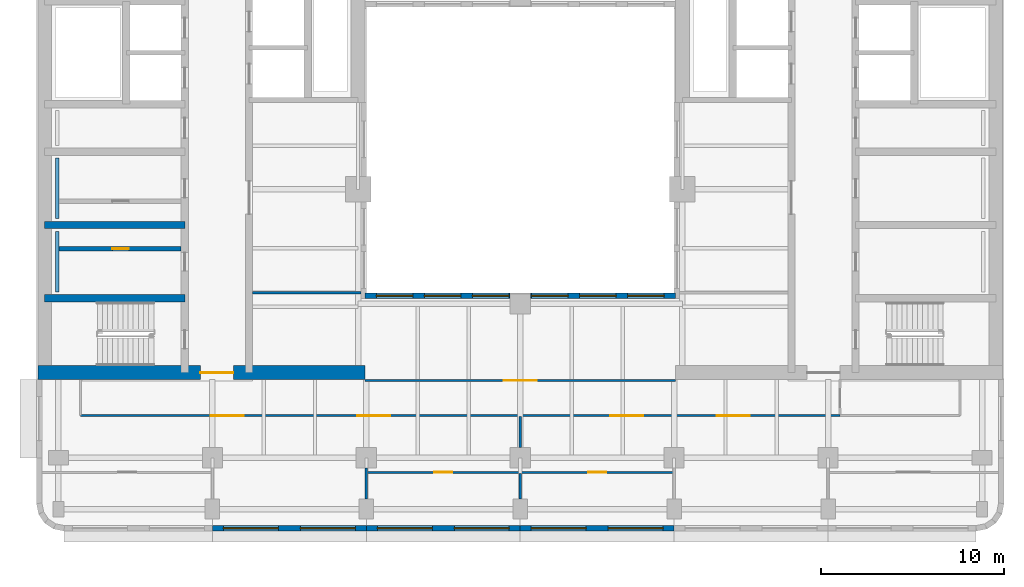
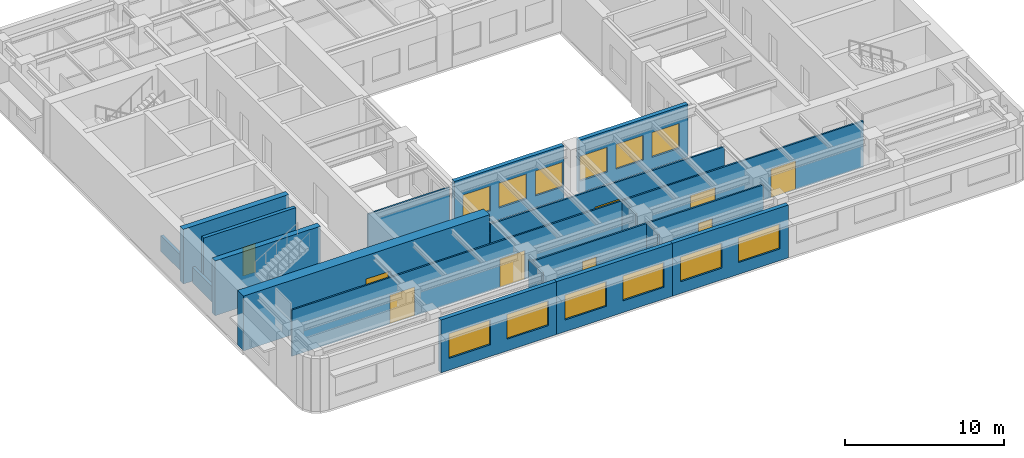
# One storey, part 3 of 11: 18 walls, 12 windows, 9 doors, 21 openings.
"""IFC4 building model written with IfcOpenShell, lengths in metres."""

from ifc_helpers import new_model, si_unit, direction, frame, frame_2d, origin, place, context, subcontext, project, spatial, rectangle, extrude, material, layer, layer_set, type_object, element, fill, save


model = new_model("IFC4")

# Units and contexts
model_context = context("Model", 3, precision=1e-05, world=origin(), true_north=direction((0.0, 1.0)))
body_context = subcontext(model_context, "Body", "Model", "MODEL_VIEW")
ifc_project = project(units=[si_unit("LENGTHUNIT", "METRE"), si_unit("AREAUNIT", "SQUARE_METRE"), si_unit("VOLUMEUNIT", "CUBIC_METRE"), si_unit("PLANEANGLEUNIT", "RADIAN"), si_unit("MASSUNIT", "GRAM", prefix="KILO")], contexts=[model_context])

# Site, building, storey
site_placement = place(None, origin())
site = spatial("IfcSite", under=ifc_project, at=site_placement, CompositionType="ELEMENT")
building_placement = place(site_placement, origin())
building = spatial("IfcBuilding", under=site, at=building_placement, Name="Claustro Exchange Tower", CompositionType="ELEMENT")
storey_placement = place(building_placement, frame((0.0, 0.0, 190.199951171875)))
storey = spatial("IfcBuildingStorey", under=building, at=storey_placement, Name="L43", CompositionType="ELEMENT", Elevation=190.199951171875)

# Wall
ifc_material_1 = material(Name="Laminated glass in aluminium frame", Category="aluminium")
ifc_layer_1 = layer(ifc_material_1, 0.1201171875)
ifc_layer_set_1 = layer_set([ifc_layer_1], Name="Laminated glass in aluminium frame")
wall_type_1 = type_object("IfcWallType", Name="P2 120 glazed partition", PredefinedType="PARTITIONING", material=ifc_layer_set_1)
wall_1_placement = place(storey_placement, frame((10.597900390625, 17.39990234375, 0.0), z_axis=(0.0, 0.0, 1.0), x_axis=(1.0, 0.0, 0.0)))
element("IfcWall", 1, at=wall_1_placement, inside=storey, type_object=wall_type_1, Name="Partition P2 L43", PredefinedType="PARTITIONING", context=body_context, shape_type="SweptSolid", body=[
    extrude(rectangle(XDim=5.904052734375, YDim=0.1201171875, at=frame_2d((2.9521484375, 0.0))), origin(), (0.0, 0.0, 1.0), 3.550048828125),
])

# Wall, openings, doors
wall_2_placement = place(storey_placement, frame((16.800048828125, 7.60009765625, 0.0), z_axis=(0.0, 0.0, 1.0), x_axis=(1.0, 0.0, 0.0)))
wall_2 = element("IfcWall", 2, at=wall_2_placement, inside=storey, type_object=wall_type_1, Name="Partition P2 L43", PredefinedType="PARTITIONING", context=body_context, shape_type="SweptSolid", body=[
    extrude(rectangle(XDim=16.800048828125, YDim=0.1201171875, at=frame_2d((8.39990234375, 0.0))), origin(), (0.0, 0.0, 1.0), 3.68994140625),
])
opening_1_placement = place(wall_2_placement, frame((3.699951171875, 0.0, 0.0)))
opening_1 = element("IfcOpeningElement", 3, at=opening_1_placement, cuts=wall_2, Name="Opening D7", PredefinedType="OPENING", context=body_context, shape_type="SweptSolid", body=[
    extrude(rectangle(XDim=1.0, YDim=2.39990234375, at=frame_2d((0.5, 1.199951171875))), frame((0.0, 0.070068359375, 0.0), z_axis=(0.0, -1.0, 0.0), x_axis=(1.0, 0.0, 0.0)), (0.0, 0.0, 1.0), 0.14013671875),
])
opening_2_placement = place(wall_2_placement, frame((12.10009765625, 0.0, 0.0)))
opening_2 = element("IfcOpeningElement", 4, at=opening_2_placement, cuts=wall_2, Name="Opening D7", PredefinedType="OPENING", context=body_context, shape_type="SweptSolid", body=[
    extrude(rectangle(XDim=1.0, YDim=2.39990234375, at=frame_2d((0.5, 1.199951171875))), frame((0.0, 0.070068359375, 0.0), z_axis=(0.0, -1.0, 0.0), x_axis=(1.0, 0.0, 0.0)), (0.0, 0.0, 1.0), 0.14013671875),
])
ifc_material_2 = material(Name="Glass door in aluminium frame", Category="aluminium")
door_type_1 = type_object("IfcDoorType", Name="D7 1000 x 2400 glazed door", OperationType="SINGLE_SWING_LEFT", PredefinedType="DOOR", material=ifc_material_2)
door_1_placement = place(opening_1_placement, frame((1.0, 0.0, 0.0), z_axis=(0.0, 0.0, 1.0), x_axis=(-1.0, 0.0, 0.0)))
door_1 = element("IfcDoor", 5, at=door_1_placement, inside=storey, type_object=door_type_1, Name="Door D7 L43", OperationType="SINGLE_SWING_LEFT", OverallHeight=2.39990234375, OverallWidth=1.0, PredefinedType="DOOR", context=body_context, shape_type="SweptSolid", body=[
    extrude(rectangle(XDim=1.0, YDim=2.39990234375, at=frame_2d((0.5, 1.199951171875))), frame((0.0, 0.02490234375, 0.0), z_axis=(0.0, -1.0, 0.0), x_axis=(1.0, 0.0, 0.0)), (0.0, 0.0, 1.0), 0.050048828125),
])
fill(opening_1, door_1)
door_2_placement = place(opening_2_placement, frame((1.0, 0.0, 0.0), z_axis=(0.0, 0.0, 1.0), x_axis=(-1.0, 0.0, 0.0)))
door_2 = element("IfcDoor", 6, at=door_2_placement, inside=storey, type_object=door_type_1, Name="Door D7 L43", OperationType="SINGLE_SWING_RIGHT", OverallHeight=2.39990234375, OverallWidth=1.0, PredefinedType="DOOR", context=body_context, shape_type="SweptSolid", body=[
    extrude(rectangle(XDim=1.0, YDim=2.39990234375, at=frame_2d((0.5, 1.199951171875))), frame((0.0, 0.02490234375, 0.0), z_axis=(0.0, -1.0, 0.0), x_axis=(1.0, 0.0, 0.0)), (0.0, 0.0, 1.0), 0.050048828125),
])
fill(opening_2, door_2)

# Walls
wall_3_placement = place(storey_placement, frame((16.800048828125, 6.14892578125, 0.0), z_axis=(0.0, 0.0, 1.0), x_axis=(0.0, 1.0, 0.0)))
element("IfcWall", 7, at=wall_3_placement, inside=storey, type_object=wall_type_1, Name="Partition P2 L43", PredefinedType="PARTITIONING", context=body_context, shape_type="SweptSolid", body=[
    extrude(rectangle(XDim=1.703125, YDim=0.1201171875, at=frame_2d((0.8515625, 0.0))), origin(), (0.0, 0.0, 1.0), 3.68994140625),
])
wall_4_placement = place(storey_placement, frame((25.199951171875, 6.14892578125, 0.0), z_axis=(0.0, 0.0, 1.0), x_axis=(0.0, 1.0, 0.0)))
element("IfcWall", 8, at=wall_4_placement, inside=storey, type_object=wall_type_1, Name="Partition P2 L43", PredefinedType="PARTITIONING", context=body_context, shape_type="SweptSolid", body=[
    extrude(rectangle(XDim=1.39306640625, YDim=0.1201171875, at=frame_2d((0.696533203125, 0.0))), origin(), (0.0, 0.0, 1.0), 3.68994140625),
])
wall_5_placement = place(storey_placement, frame((25.199951171875, 8.948974609375, 0.0), z_axis=(0.0, 0.0, 1.0), x_axis=(0.0, 1.0, 0.0)))
element("IfcWall", 9, at=wall_5_placement, inside=storey, type_object=wall_type_1, Name="Partition P2 L43", PredefinedType="PARTITIONING", context=body_context, shape_type="SweptSolid", body=[
    extrude(rectangle(XDim=1.693115234375, YDim=0.1201171875, at=frame_2d((0.8466796875, 0.0))), origin(), (0.0, 0.0, 1.0), 3.550048828125),
])

# Wall, openings, doors
wall_6_placement = place(storey_placement, frame((1.199951171875, 10.699951171875, 0.0), z_axis=(0.0, 0.0, 1.0), x_axis=(1.0, 0.0, 0.0)))
wall_6 = element("IfcWall", 10, at=wall_6_placement, inside=storey, type_object=wall_type_1, Name="Partition P2 L43", PredefinedType="PARTITIONING", context=body_context, shape_type="SweptSolid", body=[
    extrude(rectangle(XDim=41.4521484375, YDim=0.1201171875, at=frame_2d((20.72607421875, 0.0))), origin(), (0.0, 0.0, 1.0), 3.550048828125),
])
opening_3_placement = place(wall_6_placement, frame((7.10009765625, 0.0, 0.0)))
opening_3 = element("IfcOpeningElement", 11, at=opening_3_placement, cuts=wall_6, Name="Opening D2", PredefinedType="OPENING", context=body_context, shape_type="SweptSolid", body=[
    extrude(rectangle(XDim=1.800048828125, YDim=2.199951171875, at=frame_2d((0.89990234375, 1.10009765625))), frame((0.0, 0.070068359375, 0.0), z_axis=(0.0, -1.0, 0.0), x_axis=(1.0, 0.0, 0.0)), (0.0, 0.0, 1.0), 0.14013671875),
])
opening_4_placement = place(wall_6_placement, frame((15.10009765625, 0.0, 0.0)))
opening_4 = element("IfcOpeningElement", 12, at=opening_4_placement, cuts=wall_6, Name="Opening D2", PredefinedType="OPENING", context=body_context, shape_type="SweptSolid", body=[
    extrude(rectangle(XDim=1.800048828125, YDim=2.199951171875, at=frame_2d((0.89990234375, 1.10009765625))), frame((0.0, 0.070068359375, 0.0), z_axis=(0.0, -1.0, 0.0), x_axis=(1.0, 0.0, 0.0)), (0.0, 0.0, 1.0), 0.14013671875),
])
opening_5_placement = place(wall_6_placement, frame((28.916748046875, 0.0, 0.0)))
opening_5 = element("IfcOpeningElement", 13, at=opening_5_placement, cuts=wall_6, Name="Opening D2", PredefinedType="OPENING", context=body_context, shape_type="SweptSolid", body=[
    extrude(rectangle(XDim=1.800048828125, YDim=2.199951171875, at=frame_2d((0.89990234375, 1.10009765625))), frame((0.0, 0.070068359375, 0.0), z_axis=(0.0, -1.0, 0.0), x_axis=(1.0, 0.0, 0.0)), (0.0, 0.0, 1.0), 0.14013671875),
])
opening_6_placement = place(wall_6_placement, frame((34.7333984375, 0.0, 0.0)))
opening_6 = element("IfcOpeningElement", 14, at=opening_6_placement, cuts=wall_6, Name="Opening D2", PredefinedType="OPENING", context=body_context, shape_type="SweptSolid", body=[
    extrude(rectangle(XDim=1.800048828125, YDim=2.199951171875, at=frame_2d((0.89990234375, 1.10009765625))), frame((0.0, 0.070068359375, 0.0), z_axis=(0.0, -1.0, 0.0), x_axis=(1.0, 0.0, 0.0)), (0.0, 0.0, 1.0), 0.14013671875),
])
ifc_material_3 = material(Name="Timber door, oak veneer", Category="wood")
door_type_2 = type_object("IfcDoorType", Name="D2 1800 x 2200 double door", OperationType="DOUBLE_DOOR_SINGLE_SWING", PredefinedType="DOOR", material=ifc_material_3)
door_3_placement = place(opening_3_placement, frame((1.800048828125, 0.0, 0.0), z_axis=(0.0, 0.0, 1.0), x_axis=(-1.0, 0.0, 0.0)))
door_3 = element("IfcDoor", 15, at=door_3_placement, inside=storey, type_object=door_type_2, Name="Double door D2 L43", OperationType="DOUBLE_DOOR_SINGLE_SWING", OverallHeight=2.199951171875, OverallWidth=1.800048828125, PredefinedType="DOOR", context=body_context, shape_type="SweptSolid", body=[
    extrude(rectangle(XDim=1.800048828125, YDim=2.199951171875, at=frame_2d((0.89990234375, 1.10009765625))), frame((0.0, 0.02490234375, 0.0), z_axis=(0.0, -1.0, 0.0), x_axis=(1.0, 0.0, 0.0)), (0.0, 0.0, 1.0), 0.050048828125),
])
fill(opening_3, door_3)
door_4_placement = place(opening_4_placement, frame((1.800048828125, 0.0, 0.0), z_axis=(0.0, 0.0, 1.0), x_axis=(-1.0, 0.0, 0.0)))
door_4 = element("IfcDoor", 16, at=door_4_placement, inside=storey, type_object=door_type_2, Name="Double door D2 L43", OperationType="DOUBLE_DOOR_SINGLE_SWING", OverallHeight=2.199951171875, OverallWidth=1.800048828125, PredefinedType="DOOR", context=body_context, shape_type="SweptSolid", body=[
    extrude(rectangle(XDim=1.800048828125, YDim=2.199951171875, at=frame_2d((0.89990234375, 1.10009765625))), frame((0.0, 0.02490234375, 0.0), z_axis=(0.0, -1.0, 0.0), x_axis=(1.0, 0.0, 0.0)), (0.0, 0.0, 1.0), 0.050048828125),
])
fill(opening_4, door_4)
door_5_placement = place(opening_5_placement, frame((1.800048828125, 0.0, 0.0), z_axis=(0.0, 0.0, 1.0), x_axis=(-1.0, 0.0, 0.0)))
door_5 = element("IfcDoor", 17, at=door_5_placement, inside=storey, type_object=door_type_2, Name="Double door D2 L43", OperationType="DOUBLE_DOOR_SINGLE_SWING", OverallHeight=2.199951171875, OverallWidth=1.800048828125, PredefinedType="DOOR", context=body_context, shape_type="SweptSolid", body=[
    extrude(rectangle(XDim=1.800048828125, YDim=2.199951171875, at=frame_2d((0.89990234375, 1.10009765625))), frame((0.0, 0.02490234375, 0.0), z_axis=(0.0, -1.0, 0.0), x_axis=(1.0, 0.0, 0.0)), (0.0, 0.0, 1.0), 0.050048828125),
])
fill(opening_5, door_5)
door_6_placement = place(opening_6_placement, frame((1.800048828125, 0.0, 0.0), z_axis=(0.0, 0.0, 1.0), x_axis=(-1.0, 0.0, 0.0)))
door_6 = element("IfcDoor", 18, at=door_6_placement, inside=storey, type_object=door_type_2, Name="Double door D2 L43", OperationType="DOUBLE_DOOR_SINGLE_SWING", OverallHeight=2.199951171875, OverallWidth=1.800048828125, PredefinedType="DOOR", context=body_context, shape_type="SweptSolid", body=[
    extrude(rectangle(XDim=1.800048828125, YDim=2.199951171875, at=frame_2d((0.89990234375, 1.10009765625))), frame((0.0, 0.02490234375, 0.0), z_axis=(0.0, -1.0, 0.0), x_axis=(1.0, 0.0, 0.0)), (0.0, 0.0, 1.0), 0.050048828125),
])
fill(opening_6, door_6)

# Wall, opening, door
wall_7_placement = place(storey_placement, frame((16.72509765625, 12.614990234375, 0.0), z_axis=(0.0, 0.0, 1.0), x_axis=(1.0, 0.0, 0.0)))
wall_7 = element("IfcWall", 19, at=wall_7_placement, inside=storey, type_object=wall_type_1, Name="Partition P2 L43", PredefinedType="PARTITIONING", context=body_context, shape_type="SweptSolid", body=[
    extrude(rectangle(XDim=16.949951171875, YDim=0.1201171875, at=frame_2d((8.47509765625, 0.0))), origin(), (0.0, 0.0, 1.0), 3.550048828125),
])
opening_7_placement = place(wall_7_placement, frame((7.574951171875, 0.0, 0.0)))
opening_7 = element("IfcOpeningElement", 20, at=opening_7_placement, cuts=wall_7, Name="Opening D2", PredefinedType="OPENING", context=body_context, shape_type="SweptSolid", body=[
    extrude(rectangle(XDim=1.800048828125, YDim=2.199951171875, at=frame_2d((0.89990234375, 1.10009765625))), frame((0.0, 0.070068359375, 0.0), z_axis=(0.0, -1.0, 0.0), x_axis=(1.0, 0.0, 0.0)), (0.0, 0.0, 1.0), 0.14013671875),
])
door_7_placement = place(opening_7_placement, origin())
door_7 = element("IfcDoor", 21, at=door_7_placement, inside=storey, type_object=door_type_2, Name="Double door D2 L43", OperationType="DOUBLE_DOOR_SINGLE_SWING", OverallHeight=2.199951171875, OverallWidth=1.800048828125, PredefinedType="DOOR", context=body_context, shape_type="SweptSolid", body=[
    extrude(rectangle(XDim=1.800048828125, YDim=2.199951171875, at=frame_2d((0.89990234375, 1.10009765625))), frame((0.0, 0.02490234375, 0.0), z_axis=(0.0, -1.0, 0.0), x_axis=(1.0, 0.0, 0.0)), (0.0, 0.0, 1.0), 0.050048828125),
])
fill(opening_7, door_7)

ifc_material_4 = material(Name="Concrete blockwork, rendered", Category="masonry")
ifc_layer_2 = layer(ifc_material_4, 0.25)
ifc_layer_set_2 = layer_set([ifc_layer_2], Name="Concrete blockwork, rendered")
wall_type_2 = type_object("IfcWallType", Name="P4 250 blockwork wall", PredefinedType="PARTITIONING", material=ifc_layer_set_2)
wall_8_placement = place(storey_placement, frame((0.02490234375, 19.800048828125, 0.0), z_axis=(0.0, 0.0, 1.0), x_axis=(1.0, 0.0, 0.0)))
wall_8 = element("IfcWall", 22, at=wall_8_placement, inside=storey, type_object=wall_type_2, Name="Partition P4 L43", PredefinedType="PARTITIONING", context=body_context, shape_type="SweptSolid", body=[
    extrude(rectangle(XDim=6.675048828125, YDim=0.25, at=frame_2d((3.33740234375, 0.0))), origin(), (0.0, 0.0, 1.0), 4.0),
])
opening_8_placement = place(wall_8_placement, frame((2.91259765625, 0.0, 0.0)))
opening_8 = element("IfcOpeningElement", 23, at=opening_8_placement, cuts=wall_8, Name="Opening D5", PredefinedType="OPENING", context=body_context, shape_type="SweptSolid", body=[
    extrude(rectangle(XDim=0.89990234375, YDim=2.199951171875, at=frame_2d((0.449951171875, 1.10009765625))), frame((0.0, 0.135009765625, 0.0), z_axis=(0.0, -1.0, 0.0), x_axis=(1.0, 0.0, 0.0)), (0.0, 0.0, 1.0), 0.27001953125),
])
ifc_material_5 = material(Name="Steel door, painted", Category="steel")
door_type_3 = type_object("IfcDoorType", Name="D5 900 x 2200 store door", OperationType="SINGLE_SWING_LEFT", PredefinedType="DOOR", material=ifc_material_5)
door_8_placement = place(opening_8_placement, origin())
door_8 = element("IfcDoor", 24, at=door_8_placement, inside=storey, type_object=door_type_3, Name="Store door D5 L43", OperationType="SINGLE_SWING_RIGHT", OverallHeight=2.199951171875, OverallWidth=0.89990234375, PredefinedType="DOOR", context=body_context, shape_type="SweptSolid", body=[
    extrude(rectangle(XDim=0.89990234375, YDim=2.199951171875, at=frame_2d((0.449951171875, 1.10009765625))), frame((0.0, 0.02490234375, 0.0), z_axis=(0.0, -1.0, 0.0), x_axis=(1.0, 0.0, 0.0)), (0.0, 0.0, 1.0), 0.050048828125),
])
fill(opening_8, door_8)

# Wall, openings, windows
ifc_material_6 = material(Name="Concrete HA-40 (C40/50), precast, white cement, acid-etched", Category="concrete")
ifc_layer_3 = layer(ifc_material_6, 0.300048828125)
ifc_layer_set_3 = layer_set([ifc_layer_3], Name="Concrete HA-40 (C40/50), precast, white cement, acid-etched")
wall_type_3 = type_object("IfcWallType", Name="PC1 300 precast concrete pier panel", PredefinedType="SOLIDWALL", material=ifc_layer_set_3)
wall_9_placement = place(storey_placement, frame((33.60009765625, 4.550048828125, 0.0), z_axis=(0.0, 0.0, 1.0), x_axis=(-1.0, 0.0, 0.0)))
wall_9 = element("IfcWall", 25, at=wall_9_placement, inside=storey, type_object=wall_type_3, Name="Precast pier panel PC1 L43", PredefinedType="SOLIDWALL", context=body_context, shape_type="SweptSolid", body=[
    extrude(rectangle(XDim=8.400146484375, YDim=0.300048828125, at=frame_2d((4.2001953125, 0.0))), origin(), (0.0, 0.0, 1.0), 4.050048828125),
])
opening_9_placement = place(wall_9_placement, frame((0.60009765625, 0.0, 0.89990234375)))
opening_9 = element("IfcOpeningElement", 26, at=opening_9_placement, cuts=wall_9, Name="Opening W1", PredefinedType="OPENING", context=body_context, shape_type="SweptSolid", body=[
    extrude(rectangle(XDim=3.0, YDim=1.89990234375, at=frame_2d((1.5, 0.949951171875))), frame((0.0, 0.159912109375, 0.0), z_axis=(0.0, -1.0, 0.0), x_axis=(1.0, 0.0, 0.0)), (0.0, 0.0, 1.0), 0.320068359375),
])
opening_10_placement = place(wall_9_placement, frame((4.800048828125, 0.0, 0.89990234375)))
opening_10 = element("IfcOpeningElement", 27, at=opening_10_placement, cuts=wall_9, Name="Opening W1", PredefinedType="OPENING", context=body_context, shape_type="SweptSolid", body=[
    extrude(rectangle(XDim=3.0, YDim=1.89990234375, at=frame_2d((1.5, 0.949951171875))), frame((0.0, 0.159912109375, 0.0), z_axis=(0.0, -1.0, 0.0), x_axis=(1.0, 0.0, 0.0)), (0.0, 0.0, 1.0), 0.320068359375),
])
ifc_material_7 = material(Name="Aluminium frame, clear double glazing", Category="aluminium")
window_type_1 = type_object("IfcWindowType", Name="W1 3000 x 1900 window", PartitioningType="SINGLE_PANEL", PredefinedType="WINDOW", material=ifc_material_7)
window_1_placement = place(opening_9_placement, origin())
window_1 = element("IfcWindow", 28, at=window_1_placement, inside=storey, type_object=window_type_1, Name="Window W1 L43", OverallHeight=1.89990234375, OverallWidth=3.0, PartitioningType="SINGLE_PANEL", PredefinedType="WINDOW", context=body_context, shape_type="SweptSolid", body=[
    extrude(rectangle(XDim=3.0, YDim=1.89990234375, at=frame_2d((1.5, 0.949951171875))), frame((0.0, 0.030029296875, 0.0), z_axis=(0.0, -1.0, 0.0), x_axis=(1.0, 0.0, 0.0)), (0.0, 0.0, 1.0), 0.06005859375),
])
fill(opening_9, window_1)
window_2_placement = place(opening_10_placement, origin())
window_2 = element("IfcWindow", 29, at=window_2_placement, inside=storey, type_object=window_type_1, Name="Window W1 L43", OverallHeight=1.89990234375, OverallWidth=3.0, PartitioningType="SINGLE_PANEL", PredefinedType="WINDOW", context=body_context, shape_type="SweptSolid", body=[
    extrude(rectangle(XDim=3.0, YDim=1.89990234375, at=frame_2d((1.5, 0.949951171875))), frame((0.0, 0.030029296875, 0.0), z_axis=(0.0, -1.0, 0.0), x_axis=(1.0, 0.0, 0.0)), (0.0, 0.0, 1.0), 0.06005859375),
])
fill(opening_10, window_2)

wall_10_placement = place(storey_placement, frame((25.199951171875, 4.550048828125, 0.0), z_axis=(0.0, 0.0, 1.0), x_axis=(-1.0, 0.0, 0.0)))
wall_10 = element("IfcWall", 30, at=wall_10_placement, inside=storey, type_object=wall_type_3, Name="Precast pier panel PC1 L43", PredefinedType="SOLIDWALL", context=body_context, shape_type="SweptSolid", body=[
    extrude(rectangle(XDim=8.39990234375, YDim=0.300048828125, at=frame_2d((4.199951171875, 0.0))), origin(), (0.0, 0.0, 1.0), 4.050048828125),
])
opening_11_placement = place(wall_10_placement, frame((0.60009765625, 0.0, 0.89990234375)))
opening_11 = element("IfcOpeningElement", 31, at=opening_11_placement, cuts=wall_10, Name="Opening W1", PredefinedType="OPENING", context=body_context, shape_type="SweptSolid", body=[
    extrude(rectangle(XDim=3.0, YDim=1.89990234375, at=frame_2d((1.5, 0.949951171875))), frame((0.0, 0.159912109375, 0.0), z_axis=(0.0, -1.0, 0.0), x_axis=(1.0, 0.0, 0.0)), (0.0, 0.0, 1.0), 0.320068359375),
])
opening_12_placement = place(wall_10_placement, frame((4.800048828125, 0.0, 0.89990234375)))
opening_12 = element("IfcOpeningElement", 32, at=opening_12_placement, cuts=wall_10, Name="Opening W1", PredefinedType="OPENING", context=body_context, shape_type="SweptSolid", body=[
    extrude(rectangle(XDim=3.0, YDim=1.89990234375, at=frame_2d((1.5, 0.949951171875))), frame((0.0, 0.159912109375, 0.0), z_axis=(0.0, -1.0, 0.0), x_axis=(1.0, 0.0, 0.0)), (0.0, 0.0, 1.0), 0.320068359375),
])
window_3_placement = place(opening_11_placement, origin())
window_3 = element("IfcWindow", 33, at=window_3_placement, inside=storey, type_object=window_type_1, Name="Window W1 L43", OverallHeight=1.89990234375, OverallWidth=3.0, PartitioningType="SINGLE_PANEL", PredefinedType="WINDOW", context=body_context, shape_type="SweptSolid", body=[
    extrude(rectangle(XDim=3.0, YDim=1.89990234375, at=frame_2d((1.5, 0.949951171875))), frame((0.0, 0.030029296875, 0.0), z_axis=(0.0, -1.0, 0.0), x_axis=(1.0, 0.0, 0.0)), (0.0, 0.0, 1.0), 0.06005859375),
])
fill(opening_11, window_3)
window_4_placement = place(opening_12_placement, origin())
window_4 = element("IfcWindow", 34, at=window_4_placement, inside=storey, type_object=window_type_1, Name="Window W1 L43", OverallHeight=1.89990234375, OverallWidth=3.0, PartitioningType="SINGLE_PANEL", PredefinedType="WINDOW", context=body_context, shape_type="SweptSolid", body=[
    extrude(rectangle(XDim=3.0, YDim=1.89990234375, at=frame_2d((1.5, 0.949951171875))), frame((0.0, 0.030029296875, 0.0), z_axis=(0.0, -1.0, 0.0), x_axis=(1.0, 0.0, 0.0)), (0.0, 0.0, 1.0), 0.06005859375),
])
fill(opening_12, window_4)

wall_11_placement = place(storey_placement, frame((16.800048828125, 4.550048828125, 0.0), z_axis=(0.0, 0.0, 1.0), x_axis=(-1.0, 0.0, 0.0)))
wall_11 = element("IfcWall", 35, at=wall_11_placement, inside=storey, type_object=wall_type_3, Name="Precast pier panel PC1 L43", PredefinedType="SOLIDWALL", context=body_context, shape_type="SweptSolid", body=[
    extrude(rectangle(XDim=8.400146484375, YDim=0.300048828125, at=frame_2d((4.2001953125, 0.0))), origin(), (0.0, 0.0, 1.0), 4.050048828125),
])
opening_13_placement = place(wall_11_placement, frame((0.60009765625, 0.0, 0.89990234375)))
opening_13 = element("IfcOpeningElement", 36, at=opening_13_placement, cuts=wall_11, Name="Opening W1", PredefinedType="OPENING", context=body_context, shape_type="SweptSolid", body=[
    extrude(rectangle(XDim=3.0, YDim=1.89990234375, at=frame_2d((1.5, 0.949951171875))), frame((0.0, 0.159912109375, 0.0), z_axis=(0.0, -1.0, 0.0), x_axis=(1.0, 0.0, 0.0)), (0.0, 0.0, 1.0), 0.320068359375),
])
opening_14_placement = place(wall_11_placement, frame((4.800048828125, 0.0, 0.89990234375)))
opening_14 = element("IfcOpeningElement", 37, at=opening_14_placement, cuts=wall_11, Name="Opening W1", PredefinedType="OPENING", context=body_context, shape_type="SweptSolid", body=[
    extrude(rectangle(XDim=3.0, YDim=1.89990234375, at=frame_2d((1.5, 0.949951171875))), frame((0.0, 0.159912109375, 0.0), z_axis=(0.0, -1.0, 0.0), x_axis=(1.0, 0.0, 0.0)), (0.0, 0.0, 1.0), 0.320068359375),
])
window_5_placement = place(opening_13_placement, origin())
window_5 = element("IfcWindow", 38, at=window_5_placement, inside=storey, type_object=window_type_1, Name="Window W1 L43", OverallHeight=1.89990234375, OverallWidth=3.0, PartitioningType="SINGLE_PANEL", PredefinedType="WINDOW", context=body_context, shape_type="SweptSolid", body=[
    extrude(rectangle(XDim=3.0, YDim=1.89990234375, at=frame_2d((1.5, 0.949951171875))), frame((0.0, 0.030029296875, 0.0), z_axis=(0.0, -1.0, 0.0), x_axis=(1.0, 0.0, 0.0)), (0.0, 0.0, 1.0), 0.06005859375),
])
fill(opening_13, window_5)
window_6_placement = place(opening_14_placement, origin())
window_6 = element("IfcWindow", 39, at=window_6_placement, inside=storey, type_object=window_type_1, Name="Window W1 L43", OverallHeight=1.89990234375, OverallWidth=3.0, PartitioningType="SINGLE_PANEL", PredefinedType="WINDOW", context=body_context, shape_type="SweptSolid", body=[
    extrude(rectangle(XDim=3.0, YDim=1.89990234375, at=frame_2d((1.5, 0.949951171875))), frame((0.0, 0.030029296875, 0.0), z_axis=(0.0, -1.0, 0.0), x_axis=(1.0, 0.0, 0.0)), (0.0, 0.0, 1.0), 0.06005859375),
])
fill(opening_14, window_6)

wall_12_placement = place(storey_placement, frame((16.72509765625, 17.25, 0.0), z_axis=(0.0, 0.0, 1.0), x_axis=(1.0, 0.0, 0.0)))
wall_12 = element("IfcWall", 40, at=wall_12_placement, inside=storey, type_object=wall_type_3, Name="Precast pier panel PC1 L43", PredefinedType="SOLIDWALL", context=body_context, shape_type="SweptSolid", body=[
    extrude(rectangle(XDim=7.9248046875, YDim=0.300048828125, at=frame_2d((3.96240234375, 0.0))), origin(), (0.0, 0.0, 1.0), 4.050048828125),
])
opening_15_placement = place(wall_12_placement, frame((0.61865234375, 0.0, 0.89990234375)))
opening_15 = element("IfcOpeningElement", 41, at=opening_15_placement, cuts=wall_12, Name="Opening W4", PredefinedType="OPENING", context=body_context, shape_type="SweptSolid", body=[
    extrude(rectangle(XDim=2.0, YDim=1.89990234375, at=frame_2d((1.0, 0.949951171875))), frame((0.0, 0.159912109375, 0.0), z_axis=(0.0, -1.0, 0.0), x_axis=(1.0, 0.0, 0.0)), (0.0, 0.0, 1.0), 0.320068359375),
])
opening_16_placement = place(wall_12_placement, frame((3.237548828125, 0.0, 0.89990234375)))
opening_16 = element("IfcOpeningElement", 42, at=opening_16_placement, cuts=wall_12, Name="Opening W4", PredefinedType="OPENING", context=body_context, shape_type="SweptSolid", body=[
    extrude(rectangle(XDim=2.0, YDim=1.89990234375, at=frame_2d((1.0, 0.949951171875))), frame((0.0, 0.159912109375, 0.0), z_axis=(0.0, -1.0, 0.0), x_axis=(1.0, 0.0, 0.0)), (0.0, 0.0, 1.0), 0.320068359375),
])
opening_17_placement = place(wall_12_placement, frame((5.856201171875, 0.0, 0.89990234375)))
opening_17 = element("IfcOpeningElement", 43, at=opening_17_placement, cuts=wall_12, Name="Opening W4", PredefinedType="OPENING", context=body_context, shape_type="SweptSolid", body=[
    extrude(rectangle(XDim=2.0, YDim=1.89990234375, at=frame_2d((1.0, 0.949951171875))), frame((0.0, 0.159912109375, 0.0), z_axis=(0.0, -1.0, 0.0), x_axis=(1.0, 0.0, 0.0)), (0.0, 0.0, 1.0), 0.320068359375),
])
ifc_material_8 = material(Name="Aluminium frame, clear double glazing", Category="aluminium")
window_type_2 = type_object("IfcWindowType", Name="W4 2000 x 1900 light well window", PartitioningType="SINGLE_PANEL", PredefinedType="WINDOW", material=ifc_material_8)
window_7_placement = place(opening_15_placement, origin())
window_7 = element("IfcWindow", 44, at=window_7_placement, inside=storey, type_object=window_type_2, Name="Window W4 L43", OverallHeight=1.89990234375, OverallWidth=2.0, PartitioningType="SINGLE_PANEL", PredefinedType="WINDOW", context=body_context, shape_type="SweptSolid", body=[
    extrude(rectangle(XDim=2.0, YDim=1.89990234375, at=frame_2d((1.0, 0.949951171875))), frame((0.0, 0.030029296875, 0.0), z_axis=(0.0, -1.0, 0.0), x_axis=(1.0, 0.0, 0.0)), (0.0, 0.0, 1.0), 0.06005859375),
])
fill(opening_15, window_7)
window_8_placement = place(opening_16_placement, origin())
window_8 = element("IfcWindow", 45, at=window_8_placement, inside=storey, type_object=window_type_2, Name="Window W4 L43", OverallHeight=1.89990234375, OverallWidth=2.0, PartitioningType="SINGLE_PANEL", PredefinedType="WINDOW", context=body_context, shape_type="SweptSolid", body=[
    extrude(rectangle(XDim=2.0, YDim=1.89990234375, at=frame_2d((1.0, 0.949951171875))), frame((0.0, 0.030029296875, 0.0), z_axis=(0.0, -1.0, 0.0), x_axis=(1.0, 0.0, 0.0)), (0.0, 0.0, 1.0), 0.06005859375),
])
fill(opening_16, window_8)
window_9_placement = place(opening_17_placement, origin())
window_9 = element("IfcWindow", 46, at=window_9_placement, inside=storey, type_object=window_type_2, Name="Window W4 L43", OverallHeight=1.89990234375, OverallWidth=2.0, PartitioningType="SINGLE_PANEL", PredefinedType="WINDOW", context=body_context, shape_type="SweptSolid", body=[
    extrude(rectangle(XDim=2.0, YDim=1.89990234375, at=frame_2d((1.0, 0.949951171875))), frame((0.0, 0.030029296875, 0.0), z_axis=(0.0, -1.0, 0.0), x_axis=(1.0, 0.0, 0.0)), (0.0, 0.0, 1.0), 0.06005859375),
])
fill(opening_17, window_9)

wall_13_placement = place(storey_placement, frame((25.75, 17.25, 0.0), z_axis=(0.0, 0.0, 1.0), x_axis=(1.0, 0.0, 0.0)))
wall_13 = element("IfcWall", 47, at=wall_13_placement, inside=storey, type_object=wall_type_3, Name="Precast pier panel PC1 L43", PredefinedType="SOLIDWALL", context=body_context, shape_type="SweptSolid", body=[
    extrude(rectangle(XDim=7.925048828125, YDim=0.300048828125, at=frame_2d((3.96240234375, 0.0))), origin(), (0.0, 0.0, 1.0), 4.050048828125),
])
opening_18_placement = place(wall_13_placement, frame((0.068603515625, 0.0, 0.89990234375)))
opening_18 = element("IfcOpeningElement", 48, at=opening_18_placement, cuts=wall_13, Name="Opening W4", PredefinedType="OPENING", context=body_context, shape_type="SweptSolid", body=[
    extrude(rectangle(XDim=2.0, YDim=1.89990234375, at=frame_2d((1.0, 0.949951171875))), frame((0.0, 0.159912109375, 0.0), z_axis=(0.0, -1.0, 0.0), x_axis=(1.0, 0.0, 0.0)), (0.0, 0.0, 1.0), 0.320068359375),
])
opening_19_placement = place(wall_13_placement, frame((2.6875, 0.0, 0.89990234375)))
opening_19 = element("IfcOpeningElement", 49, at=opening_19_placement, cuts=wall_13, Name="Opening W4", PredefinedType="OPENING", context=body_context, shape_type="SweptSolid", body=[
    extrude(rectangle(XDim=2.0, YDim=1.89990234375, at=frame_2d((1.0, 0.949951171875))), frame((0.0, 0.159912109375, 0.0), z_axis=(0.0, -1.0, 0.0), x_axis=(1.0, 0.0, 0.0)), (0.0, 0.0, 1.0), 0.320068359375),
])
opening_20_placement = place(wall_13_placement, frame((5.30615234375, 0.0, 0.89990234375)))
opening_20 = element("IfcOpeningElement", 50, at=opening_20_placement, cuts=wall_13, Name="Opening W4", PredefinedType="OPENING", context=body_context, shape_type="SweptSolid", body=[
    extrude(rectangle(XDim=2.0, YDim=1.89990234375, at=frame_2d((1.0, 0.949951171875))), frame((0.0, 0.159912109375, 0.0), z_axis=(0.0, -1.0, 0.0), x_axis=(1.0, 0.0, 0.0)), (0.0, 0.0, 1.0), 0.320068359375),
])
window_10_placement = place(opening_18_placement, origin())
window_10 = element("IfcWindow", 51, at=window_10_placement, inside=storey, type_object=window_type_2, Name="Window W4 L43", OverallHeight=1.89990234375, OverallWidth=2.0, PartitioningType="SINGLE_PANEL", PredefinedType="WINDOW", context=body_context, shape_type="SweptSolid", body=[
    extrude(rectangle(XDim=2.0, YDim=1.89990234375, at=frame_2d((1.0, 0.949951171875))), frame((0.0, 0.030029296875, 0.0), z_axis=(0.0, -1.0, 0.0), x_axis=(1.0, 0.0, 0.0)), (0.0, 0.0, 1.0), 0.06005859375),
])
fill(opening_18, window_10)
window_11_placement = place(opening_19_placement, origin())
window_11 = element("IfcWindow", 52, at=window_11_placement, inside=storey, type_object=window_type_2, Name="Window W4 L43", OverallHeight=1.89990234375, OverallWidth=2.0, PartitioningType="SINGLE_PANEL", PredefinedType="WINDOW", context=body_context, shape_type="SweptSolid", body=[
    extrude(rectangle(XDim=2.0, YDim=1.89990234375, at=frame_2d((1.0, 0.949951171875))), frame((0.0, 0.030029296875, 0.0), z_axis=(0.0, -1.0, 0.0), x_axis=(1.0, 0.0, 0.0)), (0.0, 0.0, 1.0), 0.06005859375),
])
fill(opening_19, window_11)
window_12_placement = place(opening_20_placement, origin())
window_12 = element("IfcWindow", 53, at=window_12_placement, inside=storey, type_object=window_type_2, Name="Window W4 L43", OverallHeight=1.89990234375, OverallWidth=2.0, PartitioningType="SINGLE_PANEL", PredefinedType="WINDOW", context=body_context, shape_type="SweptSolid", body=[
    extrude(rectangle(XDim=2.0, YDim=1.89990234375, at=frame_2d((1.0, 0.949951171875))), frame((0.0, 0.030029296875, 0.0), z_axis=(0.0, -1.0, 0.0), x_axis=(1.0, 0.0, 0.0)), (0.0, 0.0, 1.0), 0.06005859375),
])
fill(opening_20, window_12)

# Walls
ifc_material_9 = material(Name="Gypsum board on steel studs, tiled", Category="steel")
ifc_layer_4 = layer(ifc_material_9, 0.199951171875)
ifc_layer_set_4 = layer_set([ifc_layer_4], Name="Gypsum board on steel studs, tiled")
wall_type_4 = type_object("IfcWallType", Name="PW1 200 WC duct wall", PredefinedType="PLUMBINGWALL", material=ifc_layer_set_4)
for number, where, z_axis, x_axis, name in (
    (54, (-0.074951171875, 17.449951171875, 0.0), (0.0, 0.0, 1.0), (0.0, 1.0, 0.0), "WC duct wall PW1 L43"),
    (55, (-0.074951171875, 21.449951171875, 0.0), (0.0, 0.0, 1.0), (0.0, 1.0, 0.0), "WC duct wall PW1 L43"),
):
    element("IfcWall", number, at=place(storey_placement, frame(where, z_axis=z_axis, x_axis=x_axis)), inside=storey, type_object=wall_type_4, Name=name, PredefinedType="PLUMBINGWALL", context=body_context, shape_type="SweptSolid", body=[
        extrude(rectangle(XDim=3.300048828125, YDim=0.199951171875, at=frame_2d((1.64990234375, 0.0))), origin(), (0.0, 0.0, 1.0), 1.199951171875),
    ])

# Wall, opening, door
ifc_material_10 = material(Name="Concrete HA-70 (C70/85)", Category="concrete")
ifc_layer_5 = layer(ifc_material_10, 0.75)
ifc_layer_set_5 = layer_set([ifc_layer_5], Name="Concrete HA-70 (C70/85)")
wall_type_5 = type_object("IfcWallType", Name="SW2 750 core shear wall", PredefinedType="SHEAR", material=ifc_layer_set_5)
wall_14_placement = place(storey_placement, frame((-1.125, 13.050048828125, 0.0), z_axis=(0.0, 0.0, 1.0), x_axis=(1.0, 0.0, 0.0)))
wall_14 = element("IfcWall", 56, at=wall_14_placement, inside=storey, type_object=wall_type_5, Name="Core wall SW2 W core S face L43", PredefinedType="SHEAR", context=body_context, shape_type="SweptSolid", body=[
    extrude(rectangle(XDim=17.85009765625, YDim=0.75, at=frame_2d((8.925048828125, 0.0))), origin(), (0.0, 0.0, 1.0), 4.199951171875),
])
opening_21_placement = place(wall_14_placement, frame((8.875, 0.0, 0.0)))
opening_21 = element("IfcOpeningElement", 57, at=opening_21_placement, cuts=wall_14, Name="Opening D3", PredefinedType="OPENING", context=body_context, shape_type="SweptSolid", body=[
    extrude(rectangle(XDim=1.800048828125, YDim=2.39990234375, at=frame_2d((0.89990234375, 1.199951171875))), frame((0.0, 0.385009765625, 0.0), z_axis=(0.0, -1.0, 0.0), x_axis=(1.0, 0.0, 0.0)), (0.0, 0.0, 1.0), 0.77001953125),
])
ifc_material_11 = material(Name="Steel fire door, painted", Category="steel")
door_type_4 = type_object("IfcDoorType", Name="D3 1800 x 2400 fire-rated lobby double door", OperationType="DOUBLE_DOOR_SINGLE_SWING", PredefinedType="DOOR", material=ifc_material_11)
door_9_placement = place(opening_21_placement, origin())
door_9 = element("IfcDoor", 58, at=door_9_placement, inside=storey, type_object=door_type_4, Name="Lift lobby door D3 L43", OperationType="DOUBLE_DOOR_SINGLE_SWING", OverallHeight=2.39990234375, OverallWidth=1.800048828125, PredefinedType="DOOR", context=body_context, shape_type="SweptSolid", body=[
    extrude(rectangle(XDim=1.800048828125, YDim=2.39990234375, at=frame_2d((0.89990234375, 1.199951171875))), frame((0.0, 0.02490234375, 0.0), z_axis=(0.0, -1.0, 0.0), x_axis=(1.0, 0.0, 0.0)), (0.0, 0.0, 1.0), 0.050048828125),
])
fill(opening_21, door_9)

# Walls
ifc_material_12 = material(Name="Concrete HA-50 (C50/60)", Category="concrete")
ifc_layer_6 = layer(ifc_material_12, 0.39990234375)
ifc_layer_set_6 = layer_set([ifc_layer_6], Name="Concrete HA-50 (C50/60)")
wall_type_6 = type_object("IfcWallType", Name="SW4 400 internal core wall", PredefinedType="SHEAR", material=ifc_layer_set_6)
for number, where, z_axis, x_axis, name in (
    (59, (-0.75, 17.10009765625, 0.0), (0.0, 0.0, 1.0), (1.0, 0.0, 0.0), "Internal core wall SW4 W core L43"),
    (60, (-0.75, 21.10009765625, 0.0), (0.0, 0.0, 1.0), (1.0, 0.0, 0.0), "Internal core wall SW4 W core L43"),
):
    element("IfcWall", number, at=place(storey_placement, frame(where, z_axis=z_axis, x_axis=x_axis)), inside=storey, type_object=wall_type_6, Name=name, PredefinedType="SHEAR", context=body_context, shape_type="SweptSolid", body=[
        extrude(rectangle(XDim=7.64990234375, YDim=0.39990234375, at=frame_2d((3.824951171875, 0.0))), origin(), (0.0, 0.0, 1.0), 4.199951171875),
    ])

save(model, "model.ifc")
